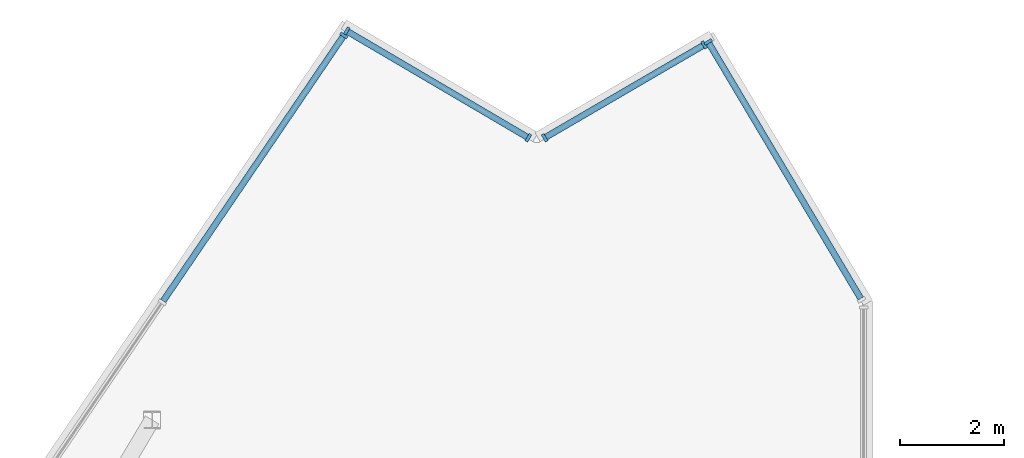
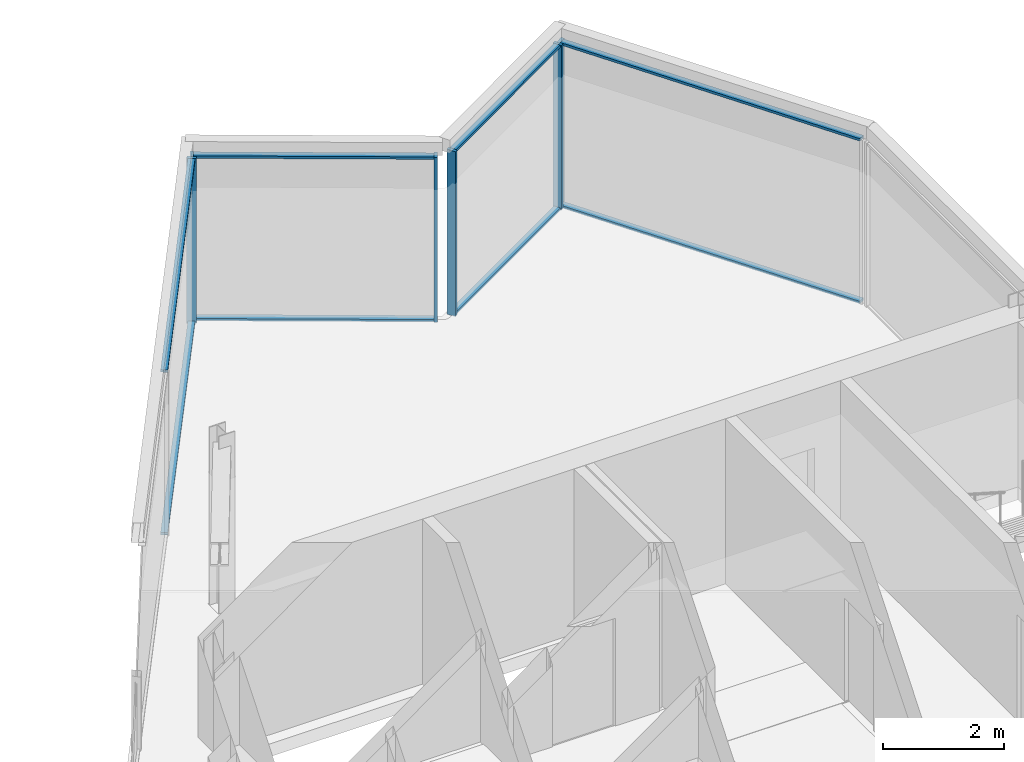
# One storey, part 7 of 15: 14 members, 4 elements without a shape of their own.
"""IFC4 building model written with IfcOpenShell, lengths in metres."""

from ifc_helpers import new_model, si_unit, direction, frame, origin, origin_2d, place, context, subcontext, project, spatial, rectangle, extrude, material, material_profile, profile_set, type_object, element, aggregate, save


model = new_model("IFC4")

# Units and contexts
model_context = context("Model", 3, precision=1e-05, world=origin(), true_north=direction((0.0, 1.0)))
body_context = subcontext(model_context, "Body", "Model", "MODEL_VIEW")
ifc_project = project(units=[si_unit("LENGTHUNIT", "METRE"), si_unit("AREAUNIT", "SQUARE_METRE"), si_unit("VOLUMEUNIT", "CUBIC_METRE"), si_unit("PLANEANGLEUNIT", "RADIAN"), si_unit("MASSUNIT", "GRAM", prefix="KILO")], contexts=[model_context])

# Site, building, storey
site_placement = place(None, origin())
site = spatial("IfcSite", under=ifc_project, at=site_placement, CompositionType="ELEMENT")
building_placement = place(site_placement, origin())
building = spatial("IfcBuilding", under=site, at=building_placement, Name="Savorim Split Tower", CompositionType="ELEMENT")
storey_placement = place(building_placement, frame((0.0, 0.0, 304.800048828125)))
storey = spatial("IfcBuildingStorey", under=building, at=storey_placement, Name="Crown L81 Plant", CompositionType="ELEMENT", Elevation=304.800048828125)

# Curtain wall, member
ifc_material_1 = material(Name="Dark Ceramic-Fritted Insulated Glass", Category="glass")
curtain_wall_type = type_object("IfcCurtainWallType", Name="CW-CROWN-CREST", PredefinedType="NOTDEFINED", material=ifc_material_1)
curtain_wall_1_placement = place(storey_placement, origin())
curtain_wall_1 = element("IfcCurtainWall", 1, at=curtain_wall_1_placement, inside=storey, type_object=curtain_wall_type, Name="Crown L81 Plant Curtain Wall CW-Crown-L81-Plant-W2A", PredefinedType="NOTDEFINED")
ifc_material_2 = material(Name="Charcoal Anodised Aluminium", Category="aluminium")
ifc_material_profile_1 = material_profile(ifc_material_2, rectangle(XDim=0.159912109375, YDim=0.06005859375, at=origin_2d()), Name="ALU-M 160x60")
ifc_profile_set_1 = profile_set([ifc_material_profile_1], Name="Charcoal Anodised Aluminium")
member_type_1 = type_object("IfcMemberType", Name="CWM-160x60", PredefinedType="MULLION", material=ifc_profile_set_1)
member_1_placement = place(storey_placement, frame((4.950927734375, 20.78955078125, 0.0), z_axis=(0.0, 0.0, 1.0), x_axis=(-0.859520566677, -0.511101159712, 0.0)))
member_1 = element("IfcMember", 2, at=member_1_placement, type_object=member_type_1, Name="CW-07 mullion 2", PredefinedType="MULLION", context=body_context, shape_type="SweptSolid", body=[
    extrude(rectangle(XDim=0.159912109375, YDim=0.06005859375, at=origin_2d()), origin(), (0.0, 0.0, 1.0), 3.33984375),
])

# Curtain wall, members
curtain_wall_2_placement = place(storey_placement, origin())
curtain_wall_2 = element("IfcCurtainWall", 3, at=curtain_wall_2_placement, inside=storey, type_object=curtain_wall_type, Name="Crown L81 Plant Curtain Wall CW-Crown-L81-Plant-W3A", PredefinedType="NOTDEFINED")
member_2_placement = place(storey_placement, frame((4.87255859375, 20.7333984375, 0.0), z_axis=(0.0, 0.0, 1.0), x_axis=(0.503509867774, -0.863989475083, 0.0)))
member_2 = element("IfcMember", 4, at=member_2_placement, type_object=member_type_1, Name="CW-07 mullion 1", PredefinedType="MULLION", context=body_context, shape_type="SweptSolid", body=[
    extrude(rectangle(XDim=0.159912109375, YDim=0.06005859375, at=origin_2d()), origin(), (0.0, 0.0, 1.0), 3.33984375),
])
member_3_placement = place(storey_placement, frame((1.815185546875, 18.951904296875, 0.0), z_axis=(0.0, 0.0, 1.0), x_axis=(0.503509867774, -0.863989475083, 0.0)))
member_3 = element("IfcMember", 5, at=member_3_placement, type_object=member_type_1, Name="CW-07 mullion 2", PredefinedType="MULLION", context=body_context, shape_type="SweptSolid", body=[
    extrude(rectangle(XDim=0.159912109375, YDim=0.06005859375, at=origin_2d()), origin(), (0.0, 0.0, 1.0), 3.33984375),
])

curtain_wall_3_placement = place(storey_placement, origin())
curtain_wall_3 = element("IfcCurtainWall", 6, at=curtain_wall_3_placement, inside=storey, type_object=curtain_wall_type, Name="Crown L81 Plant Curtain Wall CW-Crown-L81-Plant-W4A", PredefinedType="NOTDEFINED")
member_4_placement = place(storey_placement, frame((1.504150390625, 18.952392578125, 0.0), z_axis=(0.0, 0.0, 1.0), x_axis=(-0.50669293178, -0.862126599105, 0.0)))
member_4 = element("IfcMember", 7, at=member_4_placement, type_object=member_type_1, Name="CW-07 mullion 1", PredefinedType="MULLION", context=body_context, shape_type="SweptSolid", body=[
    extrude(rectangle(XDim=0.159912109375, YDim=0.06005859375, at=origin_2d()), origin(), (0.0, 0.0, 1.0), 3.33984375),
])
member_5_placement = place(storey_placement, frame((-1.979736328125, 21.0, 0.0), z_axis=(0.0, 0.0, 1.0), x_axis=(-0.50669293178, -0.862126599105, 0.0)))
member_5 = element("IfcMember", 8, at=member_5_placement, type_object=member_type_1, Name="CW-07 mullion 2", PredefinedType="MULLION", context=body_context, shape_type="SweptSolid", body=[
    extrude(rectangle(XDim=0.159912109375, YDim=0.06005859375, at=origin_2d()), origin(), (0.0, 0.0, 1.0), 3.33984375),
])

# Curtain wall, member
curtain_wall_4_placement = place(storey_placement, origin())
curtain_wall_4 = element("IfcCurtainWall", 9, at=curtain_wall_4_placement, inside=storey, type_object=curtain_wall_type, Name="Crown L81 Plant Curtain Wall CW-Crown-L81-Plant-W5A", PredefinedType="NOTDEFINED")
member_6_placement = place(storey_placement, frame((-2.035400390625, 20.913818359375, 0.0), z_axis=(0.0, 0.0, 1.0), x_axis=(0.826819666495, -0.562467100457, 0.0)))
member_6 = element("IfcMember", 10, at=member_6_placement, type_object=member_type_1, Name="CW-07 mullion 1", PredefinedType="MULLION", context=body_context, shape_type="SweptSolid", body=[
    extrude(rectangle(XDim=0.159912109375, YDim=0.06005859375, at=origin_2d()), origin(), (0.0, 0.0, 1.0), 3.33984375),
])

# Member
ifc_material_profile_2 = material_profile(ifc_material_2, rectangle(XDim=0.1201171875, YDim=0.050048828125, at=origin_2d()), Name="ALU-T 120x50")
ifc_profile_set_2 = profile_set([ifc_material_profile_2], Name="Charcoal Anodised Aluminium")
member_type_2 = type_object("IfcMemberType", Name="CWT-120x50", PredefinedType="USERDEFINED", material=ifc_profile_set_2)
member_7_placement = place(storey_placement, frame((7.875244140625, 15.87158203125, 0.02490234375), z_axis=(-0.511104512119, 0.859518573209, 0.0), x_axis=(-0.859518573209, -0.511104512119, 0.0)))
member_7 = element("IfcMember", 11, at=member_7_placement, type_object=member_type_2, Name="CW-07 transom 1.1", ObjectType="TRANSOM", PredefinedType="USERDEFINED", context=body_context, shape_type="SweptSolid", body=[
    extrude(rectangle(XDim=0.1201171875, YDim=0.050048828125, at=origin_2d()), origin(), (0.0, 0.0, 1.0), 5.69189453125),
])

member_8_placement = place(storey_placement, frame((7.875244140625, 15.87158203125, 3.31494140625), z_axis=(-0.511104512119, 0.859518573209, 0.0), x_axis=(-0.859518573209, -0.511104512119, 0.0)))
member_8 = element("IfcMember", 12, at=member_8_placement, type_object=member_type_2, Name="CW-07 transom 1.2", ObjectType="TRANSOM", PredefinedType="USERDEFINED", context=body_context, shape_type="SweptSolid", body=[
    extrude(rectangle(XDim=0.1201171875, YDim=0.050048828125, at=origin_2d()), origin(), (0.0, 0.0, 1.0), 5.69189453125),
])

aggregate(curtain_wall_1, [member_1, member_7, member_8])

member_9_placement = place(storey_placement, frame((4.8466796875, 20.718505859375, 0.02490234375), z_axis=(-0.863974827946, -0.503535000448, 0.0), x_axis=(0.503535000448, -0.863974827946, 0.0)))
member_9 = element("IfcMember", 13, at=member_9_placement, type_object=member_type_2, Name="CW-07 transom 1.1", ObjectType="TRANSOM", PredefinedType="USERDEFINED", context=body_context, shape_type="SweptSolid", body=[
    extrude(rectangle(XDim=0.1201171875, YDim=0.050048828125, at=origin_2d()), origin(), (0.0, 0.0, 1.0), 3.478759765625),
])

member_10_placement = place(storey_placement, frame((4.8466796875, 20.718505859375, 3.31494140625), z_axis=(-0.863974827946, -0.503535000448, 0.0), x_axis=(0.503535000448, -0.863974827946, 0.0)))
member_10 = element("IfcMember", 14, at=member_10_placement, type_object=member_type_2, Name="CW-07 transom 1.2", ObjectType="TRANSOM", PredefinedType="USERDEFINED", context=body_context, shape_type="SweptSolid", body=[
    extrude(rectangle(XDim=0.1201171875, YDim=0.050048828125, at=origin_2d()), origin(), (0.0, 0.0, 1.0), 3.478759765625),
])

aggregate(curtain_wall_2, [member_2, member_3, member_9, member_10])

member_11_placement = place(storey_placement, frame((1.478271484375, 18.967529296875, 0.02490234375), z_axis=(-0.862132791231, 0.50668239587, 0.0), x_axis=(-0.50668239587, -0.862132791231, 0.0)))
member_11 = element("IfcMember", 15, at=member_11_placement, type_object=member_type_2, Name="CW-07 transom 1.1", ObjectType="TRANSOM", PredefinedType="USERDEFINED", context=body_context, shape_type="SweptSolid", body=[
    extrude(rectangle(XDim=0.1201171875, YDim=0.050048828125, at=origin_2d()), origin(), (0.0, 0.0, 1.0), 3.98095703125),
])

member_12_placement = place(storey_placement, frame((1.478271484375, 18.967529296875, 3.31494140625), z_axis=(-0.862132791231, 0.50668239587, 0.0), x_axis=(-0.50668239587, -0.862132791231, 0.0)))
member_12 = element("IfcMember", 16, at=member_12_placement, type_object=member_type_2, Name="CW-07 transom 1.2", ObjectType="TRANSOM", PredefinedType="USERDEFINED", context=body_context, shape_type="SweptSolid", body=[
    extrude(rectangle(XDim=0.1201171875, YDim=0.050048828125, at=origin_2d()), origin(), (0.0, 0.0, 1.0), 3.98095703125),
])

aggregate(curtain_wall_3, [member_4, member_5, member_11, member_12])

member_13_placement = place(storey_placement, frame((-2.05224609375, 20.88916015625, 0.02490234375), z_axis=(-0.562474607895, -0.826814559302, 0.0), x_axis=(0.826814559302, -0.562474607895, 0.0)))
member_13 = element("IfcMember", 17, at=member_13_placement, type_object=member_type_2, Name="CW-07 transom 1.1", ObjectType="TRANSOM", PredefinedType="USERDEFINED", context=body_context, shape_type="SweptSolid", body=[
    extrude(rectangle(XDim=0.1201171875, YDim=0.050048828125, at=origin_2d()), origin(), (0.0, 0.0, 1.0), 6.126220703125),
])

member_14_placement = place(storey_placement, frame((-2.05224609375, 20.88916015625, 3.31494140625), z_axis=(-0.562474607895, -0.826814559302, 0.0), x_axis=(0.826814559302, -0.562474607895, 0.0)))
member_14 = element("IfcMember", 18, at=member_14_placement, type_object=member_type_2, Name="CW-07 transom 1.2", ObjectType="TRANSOM", PredefinedType="USERDEFINED", context=body_context, shape_type="SweptSolid", body=[
    extrude(rectangle(XDim=0.1201171875, YDim=0.050048828125, at=origin_2d()), origin(), (0.0, 0.0, 1.0), 6.126220703125),
])

aggregate(curtain_wall_4, [member_6, member_13, member_14])

save(model, "model.ifc")
